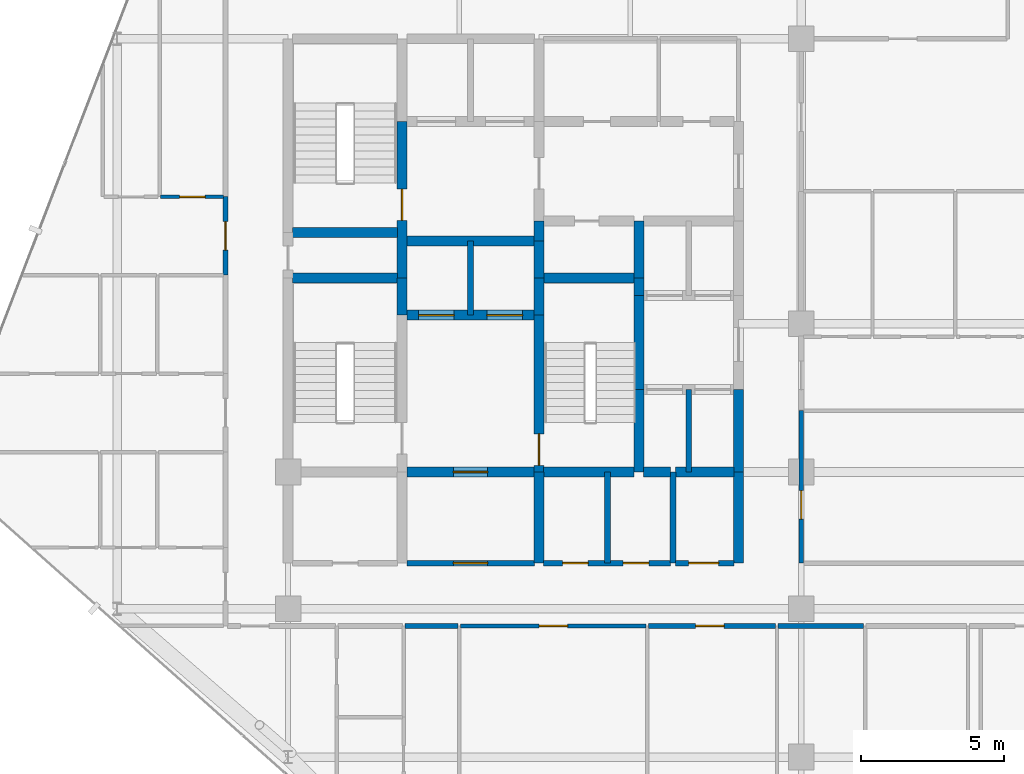
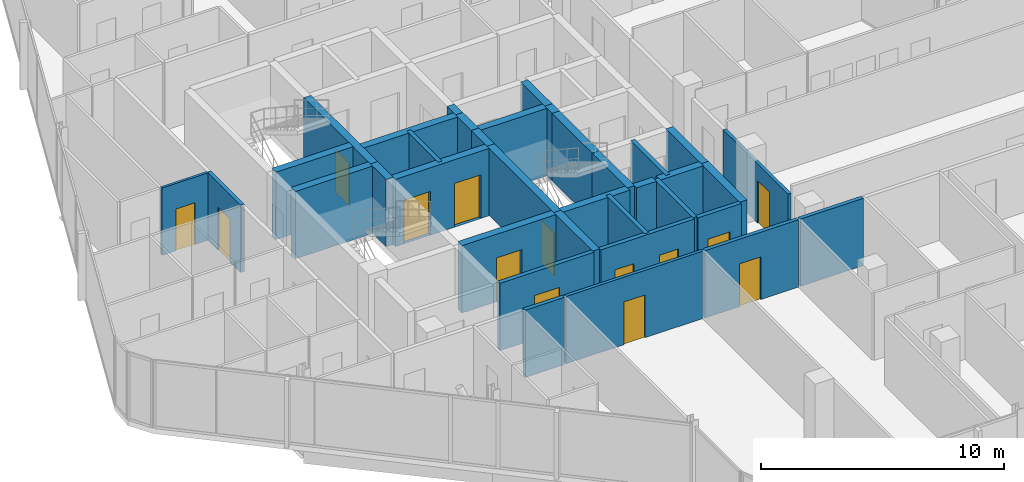
# One storey, part 24 of 29: 36 walls, 14 doors, 14 openings.
"""IFC4 building model written with IfcOpenShell, lengths in metres."""

import ifcopenshell
import ifcopenshell.guid

model = None  # the IFC model being written
_history = None  # IfcOwnerHistory: only IFC2X3 demands one
_inside = {}  # id of a spatial element -> (the spatial element, [elements in it])
_under = {}  # id of a project, library or spatial element -> (it, [spatial elements below it])
_declared = {}  # id of a project -> (the project, [libraries it declares])
_typed = {}  # id of a type object -> (the type object, [elements of that type])
_made_of = {}  # id of a material, layer set ... -> (it, [elements and type objects made of it])


def new_model(schema):
    """Start an empty IFC model of exactly this schema.

    Asked for "IFC4X3", IfcOpenShell would pick the latest addendum, in which some entities
    have other attributes; the version numbers below select the first issue.
    IFC2X3 requires an IfcOwnerHistory on every rooted entity: one is made here for all.
    """
    global model, _history
    if schema == "IFC4X3":
        model = ifcopenshell.file(schema_version=(4, 3, 0, 0))
    else:
        model = ifcopenshell.file(schema=schema)
    _inside.clear()
    _under.clear()
    _declared.clear()
    _typed.clear()
    _made_of.clear()
    _history = None
    if model.schema == "IFC2X3":
        org = make("IfcOrganization", Name="unknown")
        user = make(
            "IfcPersonAndOrganization",
            ThePerson=make("IfcPerson", FamilyName="unknown"),
            TheOrganization=org,
        )
        app = make(
            "IfcApplication",
            ApplicationDeveloper=org,
            Version="unknown",
            ApplicationFullName="unknown",
            ApplicationIdentifier="unknown",
        )
        _history = make(
            "IfcOwnerHistory",
            OwningUser=user,
            OwningApplication=app,
            ChangeAction="ADDED",
            CreationDate=0,
        )
    return model


def make(cls, **values):
    """One entity of the class cls with the attributes given. An attribute that is None is left unset."""
    return model.create_entity(
        cls, **{name: value for name, value in values.items() if value is not None}
    )


def rooted(cls, **values):
    """An entity with a GlobalId (a new one), such as an element, a storey or a relation."""
    return make(cls, GlobalId=ifcopenshell.guid.new(), OwnerHistory=_history, **values)


def si_unit(unit_type, name, prefix=None):
    """IfcSIUnit, for example si_unit("LENGTHUNIT", "METRE", prefix="MILLI")."""
    return make("IfcSIUnit", UnitType=unit_type, Prefix=prefix, Name=name)


def assignment(units):
    """IfcUnitAssignment: the units of a project."""
    return None if units is None else make("IfcUnitAssignment", Units=units)


def point(xyz):
    """IfcCartesianPoint."""
    return None if xyz is None else make("IfcCartesianPoint", Coordinates=xyz)


def direction(xyz):
    """IfcDirection."""
    return None if xyz is None else make("IfcDirection", DirectionRatios=xyz)


def frame(location, z_axis=None, x_axis=None):
    """IfcAxis2Placement3D, a coordinate frame: its origin and axes. An axis left out is left unset."""
    return make(
        "IfcAxis2Placement3D",
        Location=point(location),
        Axis=direction(z_axis),
        RefDirection=direction(x_axis),
    )


def frame_2d(location, x_axis=None):
    """IfcAxis2Placement2D, a coordinate frame in the plane: its origin and x axis."""
    return make(
        "IfcAxis2Placement2D", Location=point(location), RefDirection=direction(x_axis)
    )


def origin():
    """The frame at (0, 0, 0) with its axes left unset."""
    return frame((0.0, 0.0, 0.0))


def place(relative_to, where):
    """IfcLocalPlacement: puts the frame where relative to a parent placement (None: the world)."""
    return make(
        "IfcLocalPlacement", PlacementRelTo=relative_to, RelativePlacement=where
    )


def context(
    kind, dimensions, precision=None, world=None, true_north=None, identifier=None
):
    """IfcGeometricRepresentationContext, for example the 3D "Model" context."""
    return make(
        "IfcGeometricRepresentationContext",
        ContextIdentifier=identifier,
        ContextType=kind,
        CoordinateSpaceDimension=dimensions,
        Precision=precision,
        WorldCoordinateSystem=world,
        TrueNorth=true_north,
    )


def subcontext(parent, identifier, kind, view, scale=None):
    """IfcGeometricRepresentationSubContext, for example "Body" below "Model"."""
    return make(
        "IfcGeometricRepresentationSubContext",
        ContextIdentifier=identifier,
        ContextType=kind,
        ParentContext=parent,
        TargetScale=scale,
        TargetView=view,
    )


def project(units=None, contexts=None):
    """IfcProject with its units and contexts."""
    return rooted(
        "IfcProject",
        Name="project",
        RepresentationContexts=contexts,
        UnitsInContext=assignment(units),
    )


def spatial(cls, under=None, at=None, **own):
    """A site, building, storey or space (cls), placed at a placement, below another one or the project."""
    s = rooted(cls, ObjectPlacement=at, **own)
    if under is not None:
        _under.setdefault(under.id(), (under, []))[1].append(s)
    return s


def profile(cls, at=None, kind="AREA", **sizes):
    """A parametric profile (cls). Its sizes go by their IFC names, for example OverallWidth=200.0."""
    return make(cls, ProfileType=kind, Position=at, **sizes)


def rectangle(**sizes):
    """IfcRectangleProfileDef."""
    return profile("IfcRectangleProfileDef", **sizes)


def extrude(swept, where, along, depth):
    """IfcExtrudedAreaSolid: the profile swept, set in the frame where, extruded along a direction by depth."""
    return make(
        "IfcExtrudedAreaSolid",
        SweptArea=swept,
        Position=where,
        ExtrudedDirection=direction(along),
        Depth=depth,
    )


def shape(context_of_items, identifier, shape_type, items):
    """IfcShapeRepresentation: the items that make up one representation, for example the "Body"."""
    return make(
        "IfcShapeRepresentation",
        ContextOfItems=context_of_items,
        RepresentationIdentifier=identifier,
        RepresentationType=shape_type,
        Items=items,
    )


def material(Name=None, Category=None):
    """IfcMaterial."""
    return make("IfcMaterial", Name=Name, Category=Category)


def layer(
    of_material, thickness, ventilated=None, Name=None, Category=None, Priority=None
):
    """IfcMaterialLayer: one layer of a wall or slab, of a material (None: an air gap)."""
    return make(
        "IfcMaterialLayer",
        Material=of_material,
        LayerThickness=thickness,
        IsVentilated=ventilated,
        Name=Name,
        Category=Category,
        Priority=Priority,
    )


def layer_set(layers, Name=None):
    """IfcMaterialLayerSet."""
    return make("IfcMaterialLayerSet", MaterialLayers=layers, LayerSetName=Name)


def made_of(thing, what):
    """Note that an element or type object is made of a material, layer set ...; save() writes the relation."""
    if what is not None:
        _made_of.setdefault(what.id(), (what, []))[1].append(thing)
    return thing


def type_object(cls, material=None, **own):
    """A type object (cls), such as IfcWallType, which elements share."""
    return made_of(rooted(cls, **own), material)


def element(
    cls,
    number,
    at=None,
    inside=None,
    cuts=None,
    type_object=None,
    material=None,
    context=None,
    identifier="Body",
    shape_type=None,
    held_by="IfcProductDefinitionShape",
    body=None,
    shapes=None,
    **own,
):
    """One element of the class cls, such as IfcWall. Its Tag is "e" and its number.

    at: its placement. inside: the storey or other place that contains it. cuts: it is an
    opening in that element (IfcRelVoidsElement). A single representation is given by context,
    identifier, shape_type and body (its items); several are given by shapes. held_by: the class
    of the entity that holds the representations. save() writes the other relations.
    """
    e = rooted(cls, Tag="e%d" % number, ObjectPlacement=at, **own)
    if body is not None:
        shapes = [shape(context, identifier, shape_type, body)]
    if shapes is not None:
        e.Representation = make(held_by, Representations=shapes)
    if inside is not None:
        _inside.setdefault(inside.id(), (inside, []))[1].append(e)
    if cuts is not None:
        rooted(
            "IfcRelVoidsElement", RelatingBuildingElement=cuts, RelatedOpeningElement=e
        )
    if type_object is not None:
        _typed.setdefault(type_object.id(), (type_object, []))[1].append(e)
    return made_of(e, material)


def fill(opening, filler):
    """IfcRelFillsElement: the door or window that sits in an opening."""
    return rooted(
        "IfcRelFillsElement",
        RelatingOpeningElement=opening,
        RelatedBuildingElement=filler,
    )


def aggregate(whole, parts):
    """IfcRelAggregates: a whole, such as a stair, and the parts it consists of."""
    return rooted("IfcRelAggregates", RelatingObject=whole, RelatedObjects=parts)


def save(model, path):
    """Write the relations noted so far, then the file.

    IfcRelAggregates (storeys below a building ...), IfcRelContainedInSpatialStructure (elements
    in a storey), IfcRelDefinesByType, IfcRelAssociatesMaterial and IfcRelDeclares: one each for
    every whole, place, type object, material and project.
    """
    for whole, parts in _under.values():
        aggregate(whole, parts)
    for where, things in _inside.values():
        rooted(
            "IfcRelContainedInSpatialStructure",
            RelatedElements=things,
            RelatingStructure=where,
        )
    for kind, things in _typed.values():
        rooted("IfcRelDefinesByType", RelatedObjects=things, RelatingType=kind)
    for what, things in _made_of.values():
        rooted("IfcRelAssociatesMaterial", RelatedObjects=things, RelatingMaterial=what)
    for by, libraries in _declared.values():
        rooted("IfcRelDeclares", RelatingContext=by, RelatedDefinitions=libraries)
    model.write(path)


model = new_model("IFC4")

# Units and contexts
model_context = context("Model", 3, precision=1e-05, world=origin(), true_north=direction((0.0, 1.0)))
body_context = subcontext(model_context, "Body", "Model", "MODEL_VIEW")
ifc_project = project(units=[si_unit("LENGTHUNIT", "METRE"), si_unit("AREAUNIT", "SQUARE_METRE"), si_unit("VOLUMEUNIT", "CUBIC_METRE"), si_unit("PLANEANGLEUNIT", "RADIAN"), si_unit("MASSUNIT", "GRAM", prefix="KILO")], contexts=[model_context])

# Site, building, storey
site_placement = place(None, origin())
site = spatial("IfcSite", under=ifc_project, at=site_placement, CompositionType="ELEMENT")
building_placement = place(site_placement, origin())
building = spatial("IfcBuilding", under=site, at=building_placement, Name="Keshet Zoharim Tower", CompositionType="ELEMENT")
storey_placement = place(building_placement, frame((0.0, 0.0, 203.199951171875)))
storey = spatial("IfcBuildingStorey", under=building, at=storey_placement, Name="L50", CompositionType="ELEMENT", Elevation=203.199951171875)

# Wall, opening, door
ifc_material_1 = material(Name="Gypsum Plasterboard", Category="gypsum")
ifc_layer_1 = layer(ifc_material_1, 0.14990234375)
ifc_layer_set_1 = layer_set([ifc_layer_1], Name="Gypsum Plasterboard")
wall_type_1 = type_object("IfcWallType", Name="WL-CLIN-150", PredefinedType="STANDARD", material=ifc_layer_set_1)
wall_1_placement = place(storey_placement, frame((33.0, 19.510009765625, 0.0), z_axis=(0.0, 0.0, 1.0), x_axis=(0.0, 1.0, 0.0)))
wall_1 = element("IfcWall", 1, at=wall_1_placement, inside=storey, type_object=wall_type_1, Name="L50 Interior Wall 070", PredefinedType="STANDARD", context=body_context, shape_type="SweptSolid", body=[
    extrude(rectangle(XDim=5.35009765625, YDim=0.14990234375, at=frame_2d((2.675048828125, 0.0))), origin(), (0.0, 0.0, 1.0), 2.989990234375),
])
opening_1_placement = place(wall_1_placement, frame((1.533935546875, 0.0, 0.0)))
opening_1 = element("IfcOpeningElement", 2, at=opening_1_placement, cuts=wall_1, Name="Opening D-F310", PredefinedType="OPENING", context=body_context, shape_type="SweptSolid", body=[
    extrude(rectangle(XDim=1.0, YDim=2.14990234375, at=frame_2d((0.5, 1.074951171875))), frame((0.0, 0.0849609375, 0.0), z_axis=(0.0, -1.0, 0.0), x_axis=(1.0, 0.0, 0.0)), (0.0, 0.0, 1.0), 0.169921875),
])
ifc_material_2 = material(Name="Hardwood Timber", Category="wood")
door_type_1 = type_object("IfcDoorType", Name="DR-FD30-100", OperationType="NOTDEFINED", PredefinedType="DOOR", material=ifc_material_2)
door_1_placement = place(opening_1_placement, origin())
door_1 = element("IfcDoor", 3, at=door_1_placement, inside=storey, type_object=door_type_1, Name="L50 South East Residents Services Suite Door 2", OperationType="SINGLE_SWING_LEFT", OverallHeight=2.14990234375, OverallWidth=1.0, PredefinedType="DOOR", context=body_context, shape_type="SweptSolid", body=[
    extrude(rectangle(XDim=1.0, YDim=2.14990234375, at=frame_2d((0.5, 1.074951171875))), frame((0.0, 0.02490234375, 0.0), z_axis=(0.0, -1.0, 0.0), x_axis=(1.0, 0.0, 0.0)), (0.0, 0.0, 1.0), 0.050048828125),
])
fill(opening_1, door_1)

wall_2_placement = place(storey_placement, frame((21.044921875, 17.300048828125, 0.0), z_axis=(0.0, 0.0, 1.0), x_axis=(1.0, 0.0, 0.0)))
wall_2 = element("IfcWall", 4, at=wall_2_placement, inside=storey, type_object=wall_type_1, Name="L50 Interior Wall 115", PredefinedType="STANDARD", context=body_context, shape_type="SweptSolid", body=[
    extrude(rectangle(XDim=6.510009765625, YDim=0.14990234375, at=frame_2d((3.2548828125, 0.0))), origin(), (0.0, 0.0, 1.0), 3.39013671875),
])
opening_2_placement = place(wall_2_placement, frame((2.7548828125, 0.0, 0.0)))
opening_2 = element("IfcOpeningElement", 5, at=opening_2_placement, cuts=wall_2, Name="Opening D-F310", PredefinedType="OPENING", context=body_context, shape_type="SweptSolid", body=[
    extrude(rectangle(XDim=1.0, YDim=2.14990234375, at=frame_2d((0.5, 1.074951171875))), frame((0.0, 0.0849609375, 0.0), z_axis=(0.0, -1.0, 0.0), x_axis=(1.0, 0.0, 0.0)), (0.0, 0.0, 1.0), 0.169921875),
])
door_2_placement = place(opening_2_placement, origin())
door_2 = element("IfcDoor", 6, at=door_2_placement, inside=storey, type_object=door_type_1, Name="L50 Floor Children Playroom Door", OperationType="SINGLE_SWING_RIGHT", OverallHeight=2.14990234375, OverallWidth=1.0, PredefinedType="DOOR", context=body_context, shape_type="SweptSolid", body=[
    extrude(rectangle(XDim=1.0, YDim=2.14990234375, at=frame_2d((0.5, 1.074951171875))), frame((0.0, 0.02490234375, 0.0), z_axis=(0.0, -1.0, 0.0), x_axis=(1.0, 0.0, 0.0)), (0.0, 0.0, 1.0), 0.050048828125),
])
fill(opening_2, door_2)

# Wall
ifc_material_3 = material(Name="Concrete C60/75", Category="concrete")
ifc_layer_2 = layer(ifc_material_3, 0.35009765625)
ifc_layer_set_2 = layer_set([ifc_layer_2], Name="Concrete C60/75")
wall_type_2 = type_object("IfcWallType", Name="WL-CORE-350", PredefinedType="SHEAR", material=ifc_layer_set_2)
wall_3_placement = place(storey_placement, frame((19.0, 28.199951171875, 0.0), z_axis=(0.0, 0.0, 1.0), x_axis=(0.0, 1.0, 0.0)))
element("IfcWall", 7, at=wall_3_placement, inside=storey, type_object=wall_type_2, Name="L50 Core Shear Wall 025", PredefinedType="SHEAR", context=body_context, shape_type="SweptSolid", body=[
    extrude(rectangle(XDim=1.300048828125, YDim=0.35009765625, at=frame_2d((0.64990234375, 0.0))), origin(), (0.0, 0.0, 1.0), 3.39013671875),
])

# Wall, opening, door
wall_4_placement = place(storey_placement, frame((19.0, 29.5, 0.0), z_axis=(0.0, 0.0, 1.0), x_axis=(0.0, 1.0, 0.0)))
wall_4 = element("IfcWall", 8, at=wall_4_placement, inside=storey, type_object=wall_type_2, Name="L50 Core Shear Wall 026", PredefinedType="SHEAR", context=body_context, shape_type="SweptSolid", body=[
    extrude(rectangle(XDim=5.5, YDim=0.35009765625, at=frame_2d((2.75, 0.0))), origin(), (0.0, 0.0, 1.0), 3.39013671875),
])
opening_3_placement = place(wall_4_placement, frame((2.02490234375, 0.0, 0.0)))
opening_3 = element("IfcOpeningElement", 9, at=opening_3_placement, cuts=wall_4, Name="Opening D-F611", PredefinedType="OPENING", context=body_context, shape_type="SweptSolid", body=[
    extrude(rectangle(XDim=1.10009765625, YDim=2.14990234375, at=frame_2d((0.550048828125, 1.074951171875))), frame((0.0, 0.18505859375, 0.0), z_axis=(0.0, -1.0, 0.0), x_axis=(1.0, 0.0, 0.0)), (0.0, 0.0, 1.0), 0.3701171875),
])
door_type_2 = type_object("IfcDoorType", Name="DR-FD60-110", OperationType="NOTDEFINED", PredefinedType="DOOR", material=ifc_material_2)
door_3_placement = place(opening_3_placement, origin())
door_3 = element("IfcDoor", 10, at=door_3_placement, inside=storey, type_object=door_type_2, Name="L50 Exit Stair ST-02 Fire Door", OperationType="SINGLE_SWING_LEFT", OverallHeight=2.14990234375, OverallWidth=1.10009765625, PredefinedType="DOOR", context=body_context, shape_type="SweptSolid", body=[
    extrude(rectangle(XDim=1.10009765625, YDim=2.14990234375, at=frame_2d((0.550048828125, 1.074951171875))), frame((0.0, 0.02490234375, 0.0), z_axis=(0.0, -1.0, 0.0), x_axis=(1.0, 0.0, 0.0)), (0.0, 0.0, 1.0), 0.050048828125),
])
fill(opening_3, door_3)

# Wall
wall_5_placement = place(storey_placement, frame((23.800048828125, 19.5, 0.0), z_axis=(0.0, 0.0, 1.0), x_axis=(0.0, 1.0, 0.0)))
element("IfcWall", 11, at=wall_5_placement, inside=storey, type_object=wall_type_2, Name="L50 Core Shear Wall 037", PredefinedType="SHEAR", context=body_context, shape_type="SweptSolid", body=[
    extrude(rectangle(XDim=3.199951171875, YDim=0.35009765625, at=frame_2d((1.60009765625, 0.0))), origin(), (0.0, 0.0, 1.0), 3.39013671875),
])

# Wall, opening, door
wall_6_placement = place(storey_placement, frame((23.800048828125, 22.699951171875, 0.0), z_axis=(0.0, 0.0, 1.0), x_axis=(0.0, 1.0, 0.0)))
wall_6 = element("IfcWall", 12, at=wall_6_placement, inside=storey, type_object=wall_type_2, Name="L50 Core Shear Wall 038", PredefinedType="SHEAR", context=body_context, shape_type="SweptSolid", body=[
    extrude(rectangle(XDim=5.5, YDim=0.35009765625, at=frame_2d((2.75, 0.0))), origin(), (0.0, 0.0, 1.0), 3.39013671875),
])
opening_4_placement = place(wall_6_placement, frame((0.235107421875, 0.0, 0.0)))
opening_4 = element("IfcOpeningElement", 13, at=opening_4_placement, cuts=wall_6, Name="Opening D-F611", PredefinedType="OPENING", context=body_context, shape_type="SweptSolid", body=[
    extrude(rectangle(XDim=1.10009765625, YDim=2.14990234375, at=frame_2d((0.550048828125, 1.074951171875))), frame((0.0, 0.18505859375, 0.0), z_axis=(0.0, -1.0, 0.0), x_axis=(1.0, 0.0, 0.0)), (0.0, 0.0, 1.0), 0.3701171875),
])
door_4_placement = place(opening_4_placement, frame((1.10009765625, 0.0, 0.0), z_axis=(0.0, 0.0, 1.0), x_axis=(-1.0, 0.0, 0.0)))
door_4 = element("IfcDoor", 14, at=door_4_placement, inside=storey, type_object=door_type_2, Name="L50 Exit Stair ST-03 Fire Door", OperationType="SINGLE_SWING_LEFT", OverallHeight=2.14990234375, OverallWidth=1.10009765625, PredefinedType="DOOR", context=body_context, shape_type="SweptSolid", body=[
    extrude(rectangle(XDim=1.10009765625, YDim=2.14990234375, at=frame_2d((0.550048828125, 1.074951171875))), frame((0.0, 0.02490234375, 0.0), z_axis=(0.0, -1.0, 0.0), x_axis=(1.0, 0.0, 0.0)), (0.0, 0.0, 1.0), 0.050048828125),
])
fill(opening_4, door_4)

# Walls
for number, where, z_axis, x_axis, name in (
    (15, (23.800048828125, 28.199951171875, 0.0), (0.0, 0.0, 1.0), (0.0, 1.0, 0.0), "L50 Core Shear Wall 039"),
    (16, (23.800048828125, 29.5, 0.0), (0.0, 0.0, 1.0), (0.0, 1.0, 0.0), "L50 Core Shear Wall 040"),
):
    element("IfcWall", number, at=place(storey_placement, frame(where, z_axis=z_axis, x_axis=x_axis)), inside=storey, type_object=wall_type_2, Name=name, PredefinedType="SHEAR", context=body_context, shape_type="SweptSolid", body=[
        extrude(rectangle(XDim=1.300048828125, YDim=0.35009765625, at=frame_2d((0.64990234375, 0.0))), origin(), (0.0, 0.0, 1.0), 3.39013671875),
    ])
wall_7_placement = place(storey_placement, frame((23.800048828125, 30.800048828125, 0.0), z_axis=(0.0, 0.0, 1.0), x_axis=(0.0, 1.0, 0.0)))
element("IfcWall", 17, at=wall_7_placement, inside=storey, type_object=wall_type_2, Name="L50 Core Shear Wall 041", PredefinedType="SHEAR", context=body_context, shape_type="SweptSolid", body=[
    extrude(rectangle(XDim=0.699951171875, YDim=0.35009765625, at=frame_2d((0.35009765625, 0.0))), origin(), (0.0, 0.0, 1.0), 3.39013671875),
])
wall_8_placement = place(storey_placement, frame((27.300048828125, 22.699951171875, 0.0), z_axis=(0.0, 0.0, 1.0), x_axis=(0.0, 1.0, 0.0)))
element("IfcWall", 18, at=wall_8_placement, inside=storey, type_object=wall_type_2, Name="L50 Core Shear Wall 048", PredefinedType="SHEAR", context=body_context, shape_type="SweptSolid", body=[
    extrude(rectangle(XDim=2.900146484375, YDim=0.35009765625, at=frame_2d((1.4501953125, 0.0))), origin(), (0.0, 0.0, 1.0), 3.39013671875),
])
wall_9_placement = place(storey_placement, frame((27.300048828125, 25.60009765625, 0.0), z_axis=(0.0, 0.0, 1.0), x_axis=(0.0, 1.0, 0.0)))
element("IfcWall", 19, at=wall_9_placement, inside=storey, type_object=wall_type_2, Name="L50 Core Shear Wall 049", PredefinedType="SHEAR", context=body_context, shape_type="SweptSolid", body=[
    extrude(rectangle(XDim=3.2998046875, YDim=0.35009765625, at=frame_2d((1.64990234375, 0.0))), origin(), (0.0, 0.0, 1.0), 3.39013671875),
])
wall_10_placement = place(storey_placement, frame((27.300048828125, 28.89990234375, 0.0), z_axis=(0.0, 0.0, 1.0), x_axis=(0.0, 1.0, 0.0)))
element("IfcWall", 20, at=wall_10_placement, inside=storey, type_object=wall_type_2, Name="L50 Core Shear Wall 050", PredefinedType="SHEAR", context=body_context, shape_type="SweptSolid", body=[
    extrude(rectangle(XDim=0.60009765625, YDim=0.35009765625, at=frame_2d((0.300048828125, 0.0))), origin(), (0.0, 0.0, 1.0), 3.39013671875),
])
wall_11_placement = place(storey_placement, frame((27.300048828125, 29.5, 0.0), z_axis=(0.0, 0.0, 1.0), x_axis=(0.0, 1.0, 0.0)))
element("IfcWall", 21, at=wall_11_placement, inside=storey, type_object=wall_type_2, Name="L50 Core Shear Wall 051", PredefinedType="SHEAR", context=body_context, shape_type="SweptSolid", body=[
    extrude(rectangle(XDim=2.0, YDim=0.35009765625, at=frame_2d((1.0, 0.0))), origin(), (0.0, 0.0, 1.0), 3.39013671875),
])
wall_12_placement = place(storey_placement, frame((30.800048828125, 19.5, 0.0), z_axis=(0.0, 0.0, 1.0), x_axis=(0.0, 1.0, 0.0)))
element("IfcWall", 22, at=wall_12_placement, inside=storey, type_object=wall_type_2, Name="L50 Core Shear Wall 060", PredefinedType="SHEAR", context=body_context, shape_type="SweptSolid", body=[
    extrude(rectangle(XDim=3.199951171875, YDim=0.35009765625, at=frame_2d((1.60009765625, 0.0))), origin(), (0.0, 0.0, 1.0), 3.39013671875),
])
wall_13_placement = place(storey_placement, frame((30.800048828125, 22.699951171875, 0.0), z_axis=(0.0, 0.0, 1.0), x_axis=(0.0, 1.0, 0.0)))
element("IfcWall", 23, at=wall_13_placement, inside=storey, type_object=wall_type_2, Name="L50 Core Shear Wall 061", PredefinedType="SHEAR", context=body_context, shape_type="SweptSolid", body=[
    extrude(rectangle(XDim=2.900146484375, YDim=0.35009765625, at=frame_2d((1.4501953125, 0.0))), origin(), (0.0, 0.0, 1.0), 3.39013671875),
])

# Wall, opening, door
wall_14_placement = place(storey_placement, frame((19.159912109375, 22.699951171875, 0.0), z_axis=(0.0, 0.0, 1.0), x_axis=(1.0, 0.0, 0.0)))
wall_14 = element("IfcWall", 24, at=wall_14_placement, inside=storey, type_object=wall_type_2, Name="L50 Core Shear Wall 133", PredefinedType="SHEAR", context=body_context, shape_type="SweptSolid", body=[
    extrude(rectangle(XDim=4.47998046875, YDim=0.35009765625, at=frame_2d((2.239990234375, 0.0))), origin(), (0.0, 0.0, 1.0), 3.39013671875),
])
opening_5_placement = place(wall_14_placement, frame((1.639892578125, 0.0, 0.0)))
opening_5 = element("IfcOpeningElement", 25, at=opening_5_placement, cuts=wall_14, Name="Opening D-F612", PredefinedType="OPENING", context=body_context, shape_type="SweptSolid", body=[
    extrude(rectangle(XDim=1.199951171875, YDim=2.199951171875, at=frame_2d((0.60009765625, 1.10009765625))), frame((0.0, 0.18505859375, 0.0), z_axis=(0.0, -1.0, 0.0), x_axis=(1.0, 0.0, 0.0)), (0.0, 0.0, 1.0), 0.3701171875),
])
door_type_3 = type_object("IfcDoorType", Name="DR-FD60-120", OperationType="NOTDEFINED", PredefinedType="DOOR", material=ifc_material_2)
door_5_placement = place(opening_5_placement, origin())
door_5 = element("IfcDoor", 26, at=door_5_placement, inside=storey, type_object=door_type_3, Name="L50 South Core Lobby Fire Door", OperationType="SINGLE_SWING_LEFT", OverallHeight=2.199951171875, OverallWidth=1.199951171875, PredefinedType="DOOR", context=body_context, shape_type="SweptSolid", body=[
    extrude(rectangle(XDim=1.199951171875, YDim=2.199951171875, at=frame_2d((0.60009765625, 1.10009765625))), frame((0.0, 0.02490234375, 0.0), z_axis=(0.0, -1.0, 0.0), x_axis=(1.0, 0.0, 0.0)), (0.0, 0.0, 1.0), 0.050048828125),
])
fill(opening_5, door_5)

# Walls
wall_15_placement = place(storey_placement, frame((23.9599609375, 22.699951171875, 0.0), z_axis=(0.0, 0.0, 1.0), x_axis=(1.0, 0.0, 0.0)))
element("IfcWall", 27, at=wall_15_placement, inside=storey, type_object=wall_type_2, Name="L50 Core Shear Wall 134", PredefinedType="SHEAR", context=body_context, shape_type="SweptSolid", body=[
    extrude(rectangle(XDim=3.179931640625, YDim=0.35009765625, at=frame_2d((1.58984375, 0.0))), origin(), (0.0, 0.0, 1.0), 3.39013671875),
])
wall_16_placement = place(storey_placement, frame((27.4599609375, 22.699951171875, 0.0), z_axis=(0.0, 0.0, 1.0), x_axis=(1.0, 0.0, 0.0)))
element("IfcWall", 28, at=wall_16_placement, inside=storey, type_object=wall_type_2, Name="L50 Core Shear Wall 135", PredefinedType="SHEAR", context=body_context, shape_type="SweptSolid", body=[
    extrude(rectangle(XDim=0.955078125, YDim=0.35009765625, at=frame_2d((0.4775390625, 0.0))), origin(), (0.0, 0.0, 1.0), 3.39013671875),
])
wall_17_placement = place(storey_placement, frame((28.5849609375, 22.699951171875, 0.0), z_axis=(0.0, 0.0, 1.0), x_axis=(1.0, 0.0, 0.0)))
element("IfcWall", 29, at=wall_17_placement, inside=storey, type_object=wall_type_2, Name="L50 Core Shear Wall 136", PredefinedType="SHEAR", context=body_context, shape_type="SweptSolid", body=[
    extrude(rectangle(XDim=2.054931640625, YDim=0.35009765625, at=frame_2d((1.02734375, 0.0))), origin(), (0.0, 0.0, 1.0), 3.39013671875),
])

# Wall, openings, doors
wall_18_placement = place(storey_placement, frame((19.159912109375, 28.199951171875, 0.0), z_axis=(0.0, 0.0, 1.0), x_axis=(1.0, 0.0, 0.0)))
wall_18 = element("IfcWall", 30, at=wall_18_placement, inside=storey, type_object=wall_type_2, Name="L50 Core Shear Wall 148", PredefinedType="SHEAR", context=body_context, shape_type="SweptSolid", body=[
    extrude(rectangle(XDim=4.47998046875, YDim=0.35009765625, at=frame_2d((2.239990234375, 0.0))), origin(), (0.0, 0.0, 1.0), 3.39013671875),
])
opening_6_placement = place(wall_18_placement, frame((0.4150390625, 0.0, 0.0)))
opening_6 = element("IfcOpeningElement", 31, at=opening_6_placement, cuts=wall_18, Name="Opening LD-01", PredefinedType="OPENING", context=body_context, shape_type="SweptSolid", body=[
    extrude(rectangle(XDim=1.25, YDim=2.199951171875, at=frame_2d((0.625, 1.10009765625))), frame((0.0, 0.18505859375, 0.0), z_axis=(0.0, -1.0, 0.0), x_axis=(1.0, 0.0, 0.0)), (0.0, 0.0, 1.0), 0.3701171875),
])
opening_7_placement = place(wall_18_placement, frame((2.81494140625, 0.0, 0.0)))
opening_7 = element("IfcOpeningElement", 32, at=opening_7_placement, cuts=wall_18, Name="Opening LD-01", PredefinedType="OPENING", context=body_context, shape_type="SweptSolid", body=[
    extrude(rectangle(XDim=1.25, YDim=2.199951171875, at=frame_2d((0.625, 1.10009765625))), frame((0.0, 0.18505859375, 0.0), z_axis=(0.0, -1.0, 0.0), x_axis=(1.0, 0.0, 0.0)), (0.0, 0.0, 1.0), 0.3701171875),
])
ifc_material_4 = material(Name="Steel S355", Category="steel")
door_type_4 = type_object("IfcDoorType", Name="DR-LD01-125", OperationType="DOUBLE_DOOR_SLIDING", PredefinedType="DOOR", material=ifc_material_4)
door_6_placement = place(opening_6_placement, origin())
door_6 = element("IfcDoor", 33, at=door_6_placement, inside=storey, type_object=door_type_4, Name="L50 Passenger Lift Landing Door LF-09", OperationType="DOUBLE_DOOR_SLIDING", OverallHeight=2.199951171875, OverallWidth=1.25, PredefinedType="DOOR", context=body_context, shape_type="SweptSolid", body=[
    extrude(rectangle(XDim=1.25, YDim=2.199951171875, at=frame_2d((0.625, 1.10009765625))), frame((0.0, 0.02490234375, 0.0), z_axis=(0.0, -1.0, 0.0), x_axis=(1.0, 0.0, 0.0)), (0.0, 0.0, 1.0), 0.050048828125),
])
fill(opening_6, door_6)
door_7_placement = place(opening_7_placement, origin())
door_7 = element("IfcDoor", 34, at=door_7_placement, inside=storey, type_object=door_type_4, Name="L50 Passenger Lift Landing Door LF-10", OperationType="DOUBLE_DOOR_SLIDING", OverallHeight=2.199951171875, OverallWidth=1.25, PredefinedType="DOOR", context=body_context, shape_type="SweptSolid", body=[
    extrude(rectangle(XDim=1.25, YDim=2.199951171875, at=frame_2d((0.625, 1.10009765625))), frame((0.0, 0.02490234375, 0.0), z_axis=(0.0, -1.0, 0.0), x_axis=(1.0, 0.0, 0.0)), (0.0, 0.0, 1.0), 0.050048828125),
])
fill(opening_7, door_7)

# Walls
wall_19_placement = place(storey_placement, frame((15.159912109375, 29.5, 0.0), z_axis=(0.0, 0.0, 1.0), x_axis=(1.0, 0.0, 0.0)))
element("IfcWall", 35, at=wall_19_placement, inside=storey, type_object=wall_type_2, Name="L50 Core Shear Wall 150", PredefinedType="SHEAR", context=body_context, shape_type="SweptSolid", body=[
    extrude(rectangle(XDim=3.68017578125, YDim=0.35009765625, at=frame_2d((1.840087890625, 0.0))), origin(), (0.0, 0.0, 1.0), 3.39013671875),
])
wall_20_placement = place(storey_placement, frame((23.9599609375, 29.5, 0.0), z_axis=(0.0, 0.0, 1.0), x_axis=(1.0, 0.0, 0.0)))
element("IfcWall", 36, at=wall_20_placement, inside=storey, type_object=wall_type_2, Name="L50 Core Shear Wall 151", PredefinedType="SHEAR", context=body_context, shape_type="SweptSolid", body=[
    extrude(rectangle(XDim=3.179931640625, YDim=0.35009765625, at=frame_2d((1.58984375, 0.0))), origin(), (0.0, 0.0, 1.0), 3.39013671875),
])
wall_21_placement = place(storey_placement, frame((19.159912109375, 30.800048828125, 0.0), z_axis=(0.0, 0.0, 1.0), x_axis=(1.0, 0.0, 0.0)))
element("IfcWall", 37, at=wall_21_placement, inside=storey, type_object=wall_type_2, Name="L50 Core Shear Wall 155", PredefinedType="SHEAR", context=body_context, shape_type="SweptSolid", body=[
    extrude(rectangle(XDim=4.47998046875, YDim=0.35009765625, at=frame_2d((2.239990234375, 0.0))), origin(), (0.0, 0.0, 1.0), 3.39013671875),
])
wall_22_placement = place(storey_placement, frame((15.159912109375, 31.10009765625, 0.0), z_axis=(0.0, 0.0, 1.0), x_axis=(1.0, 0.0, 0.0)))
element("IfcWall", 38, at=wall_22_placement, inside=storey, type_object=wall_type_2, Name="L50 Core Shear Wall 156", PredefinedType="SHEAR", context=body_context, shape_type="SweptSolid", body=[
    extrude(rectangle(XDim=3.68017578125, YDim=0.35009765625, at=frame_2d((1.840087890625, 0.0))), origin(), (0.0, 0.0, 1.0), 3.39013671875),
])

# Wall, opening, door
ifc_layer_3 = layer(ifc_material_1, 0.179931640625)
ifc_layer_set_3 = layer_set([ifc_layer_3], Name="Gypsum Plasterboard")
wall_type_3 = type_object("IfcWallType", Name="WL-CORR-180", PredefinedType="STANDARD", material=ifc_layer_set_3)
wall_23_placement = place(storey_placement, frame((12.800048828125, 29.610107421875, 0.0), z_axis=(0.0, 0.0, 1.0), x_axis=(0.0, 1.0, 0.0)))
wall_23 = element("IfcWall", 39, at=wall_23_placement, inside=storey, type_object=wall_type_3, Name="L50 Interior Wall 012", PredefinedType="STANDARD", context=body_context, shape_type="SweptSolid", body=[
    extrude(rectangle(XDim=2.75, YDim=0.179931640625, at=frame_2d((1.375, 0.0))), origin(), (0.0, 0.0, 1.0), 3.39013671875),
])
opening_8_placement = place(wall_23_placement, frame((0.875, 0.0, 0.0)))
opening_8 = element("IfcOpeningElement", 40, at=opening_8_placement, cuts=wall_23, Name="Opening D-F310", PredefinedType="OPENING", context=body_context, shape_type="SweptSolid", body=[
    extrude(rectangle(XDim=1.0, YDim=2.14990234375, at=frame_2d((0.5, 1.074951171875))), frame((0.0, 0.10009765625, 0.0), z_axis=(0.0, -1.0, 0.0), x_axis=(1.0, 0.0, 0.0)), (0.0, 0.0, 1.0), 0.199951171875),
])
door_8_placement = place(opening_8_placement, origin())
door_8 = element("IfcDoor", 41, at=door_8_placement, inside=storey, type_object=door_type_1, Name="Apartment 5009 Entrance Door", OperationType="SINGLE_SWING_LEFT", OverallHeight=2.14990234375, OverallWidth=1.0, PredefinedType="DOOR", context=body_context, shape_type="SweptSolid", body=[
    extrude(rectangle(XDim=1.0, YDim=2.14990234375, at=frame_2d((0.5, 1.074951171875))), frame((0.0, 0.02490234375, 0.0), z_axis=(0.0, -1.0, 0.0), x_axis=(1.0, 0.0, 0.0)), (0.0, 0.0, 1.0), 0.050048828125),
])
fill(opening_8, door_8)

# Wall
wall_24_placement = place(storey_placement, frame((19.094970703125, 17.300048828125, 0.0), z_axis=(0.0, 0.0, 1.0), x_axis=(1.0, 0.0, 0.0)))
element("IfcWall", 42, at=wall_24_placement, inside=storey, type_object=wall_type_3, Name="L50 Interior Wall 114", PredefinedType="STANDARD", context=body_context, shape_type="SweptSolid", body=[
    extrude(rectangle(XDim=1.860107421875, YDim=0.179931640625, at=frame_2d((0.93017578125, 0.0))), origin(), (0.0, 0.0, 1.0), 3.39013671875),
])

# Wall, opening, door
wall_25_placement = place(storey_placement, frame((27.64501953125, 17.300048828125, 0.0), z_axis=(0.0, 0.0, 1.0), x_axis=(1.0, 0.0, 0.0)))
wall_25 = element("IfcWall", 43, at=wall_25_placement, inside=storey, type_object=wall_type_3, Name="L50 Interior Wall 116", PredefinedType="STANDARD", context=body_context, shape_type="SweptSolid", body=[
    extrude(rectangle(XDim=4.449951171875, YDim=0.179931640625, at=frame_2d((2.22509765625, 0.0))), origin(), (0.0, 0.0, 1.0), 3.39013671875),
])
opening_9_placement = place(wall_25_placement, frame((1.653076171875, 0.0, 0.0)))
opening_9 = element("IfcOpeningElement", 44, at=opening_9_placement, cuts=wall_25, Name="Opening D-F310", PredefinedType="OPENING", context=body_context, shape_type="SweptSolid", body=[
    extrude(rectangle(XDim=1.0, YDim=2.14990234375, at=frame_2d((0.5, 1.074951171875))), frame((0.0, 0.10009765625, 0.0), z_axis=(0.0, -1.0, 0.0), x_axis=(1.0, 0.0, 0.0)), (0.0, 0.0, 1.0), 0.199951171875),
])
door_9_placement = place(opening_9_placement, origin())
door_9 = element("IfcDoor", 45, at=door_9_placement, inside=storey, type_object=door_type_1, Name="Apartment 5002 Entrance Door", OperationType="SINGLE_SWING_LEFT", OverallHeight=2.14990234375, OverallWidth=1.0, PredefinedType="DOOR", context=body_context, shape_type="SweptSolid", body=[
    extrude(rectangle(XDim=1.0, YDim=2.14990234375, at=frame_2d((0.5, 1.074951171875))), frame((0.0, 0.02490234375, 0.0), z_axis=(0.0, -1.0, 0.0), x_axis=(1.0, 0.0, 0.0)), (0.0, 0.0, 1.0), 0.050048828125),
])
fill(opening_9, door_9)

# Walls
wall_26_placement = place(storey_placement, frame((32.18505859375, 17.300048828125, 0.0), z_axis=(0.0, 0.0, 1.0), x_axis=(1.0, 0.0, 0.0)))
element("IfcWall", 46, at=wall_26_placement, inside=storey, type_object=wall_type_3, Name="L50 Interior Wall 117", PredefinedType="STANDARD", context=body_context, shape_type="SweptSolid", body=[
    extrude(rectangle(XDim=2.996826171875, YDim=0.179931640625, at=frame_2d((1.49853515625, 0.0))), origin(), (0.0, 0.0, 1.0), 3.39013671875),
])
ifc_material_5 = material(Name="Concrete C50/60", Category="concrete")
ifc_layer_4 = layer(ifc_material_5, 0.199951171875)
ifc_layer_set_4 = layer_set([ifc_layer_4], Name="Concrete C50/60")
wall_type_4 = type_object("IfcWallType", Name="WL-FIRE-200", PredefinedType="STANDARD", material=ifc_layer_set_4)
wall_27_placement = place(storey_placement, frame((21.39990234375, 28.199951171875, 0.0), z_axis=(0.0, 0.0, 1.0), x_axis=(0.0, 1.0, 0.0)))
element("IfcWall", 47, at=wall_27_placement, inside=storey, type_object=wall_type_4, Name="L50 Interior Wall 034", PredefinedType="STANDARD", context=body_context, shape_type="SweptSolid", body=[
    extrude(rectangle(XDim=2.60009765625, YDim=0.199951171875, at=frame_2d((1.300048828125, 0.0))), origin(), (0.0, 0.0, 1.0), 3.39013671875),
])
for number, where, z_axis, x_axis, name in (
    (48, (26.199951171875, 19.5, 0.0), (0.0, 0.0, 1.0), (0.0, 1.0, 0.0), "L50 Interior Wall 046"),
    (49, (28.5, 19.5, 0.0), (0.0, 0.0, 1.0), (0.0, 1.0, 0.0), "L50 Interior Wall 054"),
):
    element("IfcWall", number, at=place(storey_placement, frame(where, z_axis=z_axis, x_axis=x_axis)), inside=storey, type_object=wall_type_4, Name=name, PredefinedType="STANDARD", context=body_context, shape_type="SweptSolid", body=[
        extrude(rectangle(XDim=3.199951171875, YDim=0.199951171875, at=frame_2d((1.60009765625, 0.0))), origin(), (0.0, 0.0, 1.0), 3.39013671875),
    ])
wall_28_placement = place(storey_placement, frame((29.050048828125, 22.699951171875, 0.0), z_axis=(0.0, 0.0, 1.0), x_axis=(0.0, 1.0, 0.0)))
element("IfcWall", 50, at=wall_28_placement, inside=storey, type_object=wall_type_4, Name="L50 Interior Wall 055", PredefinedType="STANDARD", context=body_context, shape_type="SweptSolid", body=[
    extrude(rectangle(XDim=2.900146484375, YDim=0.199951171875, at=frame_2d((1.4501953125, 0.0))), origin(), (0.0, 0.0, 1.0), 3.39013671875),
])

# Wall, opening, door
wall_29_placement = place(storey_placement, frame((19.159912109375, 19.5, 0.0), z_axis=(0.0, 0.0, 1.0), x_axis=(1.0, 0.0, 0.0)))
wall_29 = element("IfcWall", 51, at=wall_29_placement, inside=storey, type_object=wall_type_4, Name="L50 Interior Wall 125", PredefinedType="STANDARD", context=body_context, shape_type="SweptSolid", body=[
    extrude(rectangle(XDim=4.47998046875, YDim=0.199951171875, at=frame_2d((2.239990234375, 0.0))), origin(), (0.0, 0.0, 1.0), 3.39013671875),
])
opening_10_placement = place(wall_29_placement, frame((1.639892578125, 0.0, 0.0)))
opening_10 = element("IfcOpeningElement", 52, at=opening_10_placement, cuts=wall_29, Name="Opening D-F612", PredefinedType="OPENING", context=body_context, shape_type="SweptSolid", body=[
    extrude(rectangle(XDim=1.199951171875, YDim=2.199951171875, at=frame_2d((0.60009765625, 1.10009765625))), frame((0.0, 0.10986328125, 0.0), z_axis=(0.0, -1.0, 0.0), x_axis=(1.0, 0.0, 0.0)), (0.0, 0.0, 1.0), 0.219970703125),
])
door_10_placement = place(opening_10_placement, origin())
door_10 = element("IfcDoor", 53, at=door_10_placement, inside=storey, type_object=door_type_3, Name="L50 South Vestibule Corridor Door", OperationType="SINGLE_SWING_LEFT", OverallHeight=2.199951171875, OverallWidth=1.199951171875, PredefinedType="DOOR", context=body_context, shape_type="SweptSolid", body=[
    extrude(rectangle(XDim=1.199951171875, YDim=2.199951171875, at=frame_2d((0.60009765625, 1.10009765625))), frame((0.0, 0.02490234375, 0.0), z_axis=(0.0, -1.0, 0.0), x_axis=(1.0, 0.0, 0.0)), (0.0, 0.0, 1.0), 0.050048828125),
])
fill(opening_10, door_10)

# Wall, openings, doors
wall_30_placement = place(storey_placement, frame((23.9599609375, 19.5, 0.0), z_axis=(0.0, 0.0, 1.0), x_axis=(1.0, 0.0, 0.0)))
wall_30 = element("IfcWall", 54, at=wall_30_placement, inside=storey, type_object=wall_type_4, Name="L50 Interior Wall 126", PredefinedType="STANDARD", context=body_context, shape_type="SweptSolid", body=[
    extrude(rectangle(XDim=4.455078125, YDim=0.199951171875, at=frame_2d((2.2275390625, 0.0))), origin(), (0.0, 0.0, 1.0), 3.39013671875),
])
opening_11_placement = place(wall_30_placement, frame((0.6650390625, 0.0, 0.0)))
opening_11 = element("IfcOpeningElement", 55, at=opening_11_placement, cuts=wall_30, Name="Opening D-F690", PredefinedType="OPENING", context=body_context, shape_type="SweptSolid", body=[
    extrude(rectangle(XDim=0.89990234375, YDim=2.14990234375, at=frame_2d((0.449951171875, 1.074951171875))), frame((0.0, 0.10986328125, 0.0), z_axis=(0.0, -1.0, 0.0), x_axis=(1.0, 0.0, 0.0)), (0.0, 0.0, 1.0), 0.219970703125),
])
opening_12_placement = place(wall_30_placement, frame((2.791015625, 0.0, 0.0)))
opening_12 = element("IfcOpeningElement", 56, at=opening_12_placement, cuts=wall_30, Name="Opening D-F690", PredefinedType="OPENING", context=body_context, shape_type="SweptSolid", body=[
    extrude(rectangle(XDim=0.89990234375, YDim=2.14990234375, at=frame_2d((0.449951171875, 1.074951171875))), frame((0.0, 0.10986328125, 0.0), z_axis=(0.0, -1.0, 0.0), x_axis=(1.0, 0.0, 0.0)), (0.0, 0.0, 1.0), 0.219970703125),
])
door_type_5 = type_object("IfcDoorType", Name="DR-FD60-090", OperationType="NOTDEFINED", PredefinedType="DOOR", material=ifc_material_2)
door_11_placement = place(opening_11_placement, origin())
door_11 = element("IfcDoor", 57, at=door_11_placement, inside=storey, type_object=door_type_5, Name="L50 Switchgear Room Door", OperationType="SINGLE_SWING_RIGHT", OverallHeight=2.14990234375, OverallWidth=0.89990234375, PredefinedType="DOOR", context=body_context, shape_type="SweptSolid", body=[
    extrude(rectangle(XDim=0.89990234375, YDim=2.14990234375, at=frame_2d((0.449951171875, 1.074951171875))), frame((0.0, 0.02490234375, 0.0), z_axis=(0.0, -1.0, 0.0), x_axis=(1.0, 0.0, 0.0)), (0.0, 0.0, 1.0), 0.050048828125),
])
fill(opening_11, door_11)
door_12_placement = place(opening_12_placement, origin())
door_12 = element("IfcDoor", 58, at=door_12_placement, inside=storey, type_object=door_type_5, Name="L50 Telecom Room Door", OperationType="SINGLE_SWING_LEFT", OverallHeight=2.14990234375, OverallWidth=0.89990234375, PredefinedType="DOOR", context=body_context, shape_type="SweptSolid", body=[
    extrude(rectangle(XDim=0.89990234375, YDim=2.14990234375, at=frame_2d((0.449951171875, 1.074951171875))), frame((0.0, 0.02490234375, 0.0), z_axis=(0.0, -1.0, 0.0), x_axis=(1.0, 0.0, 0.0)), (0.0, 0.0, 1.0), 0.050048828125),
])
fill(opening_12, door_12)

# Wall, opening, door
wall_31_placement = place(storey_placement, frame((28.5849609375, 19.5, 0.0), z_axis=(0.0, 0.0, 1.0), x_axis=(1.0, 0.0, 0.0)))
wall_31 = element("IfcWall", 59, at=wall_31_placement, inside=storey, type_object=wall_type_4, Name="L50 Interior Wall 127", PredefinedType="STANDARD", context=body_context, shape_type="SweptSolid", body=[
    extrude(rectangle(XDim=2.054931640625, YDim=0.199951171875, at=frame_2d((1.02734375, 0.0))), origin(), (0.0, 0.0, 1.0), 3.39013671875),
])
opening_13_placement = place(wall_31_placement, frame((0.466064453125, 0.0, 0.0)))
opening_13 = element("IfcOpeningElement", 60, at=opening_13_placement, cuts=wall_31, Name="Opening D-AC10", PredefinedType="OPENING", context=body_context, shape_type="SweptSolid", body=[
    extrude(rectangle(XDim=1.050048828125, YDim=2.14990234375, at=frame_2d((0.52490234375, 1.074951171875))), frame((0.0, 0.10986328125, 0.0), z_axis=(0.0, -1.0, 0.0), x_axis=(1.0, 0.0, 0.0)), (0.0, 0.0, 1.0), 0.219970703125),
])
door_type_6 = type_object("IfcDoorType", Name="DR-ACC-105", OperationType="NOTDEFINED", PredefinedType="DOOR", material=ifc_material_2)
door_13_placement = place(opening_13_placement, origin())
door_13 = element("IfcDoor", 61, at=door_13_placement, inside=storey, type_object=door_type_6, Name="L50 Accessible WC Door", OperationType="SINGLE_SWING_RIGHT", OverallHeight=2.14990234375, OverallWidth=1.050048828125, PredefinedType="DOOR", context=body_context, shape_type="SweptSolid", body=[
    extrude(rectangle(XDim=1.050048828125, YDim=2.14990234375, at=frame_2d((0.52490234375, 1.074951171875))), frame((0.0, 0.02490234375, 0.0), z_axis=(0.0, -1.0, 0.0), x_axis=(1.0, 0.0, 0.0)), (0.0, 0.0, 1.0), 0.050048828125),
])
fill(opening_13, door_13)

ifc_layer_5 = layer(ifc_material_1, 0.1201171875)
ifc_layer_set_5 = layer_set([ifc_layer_5], Name="Gypsum Plasterboard")
wall_type_5 = type_object("IfcWallType", Name="WL-WET-120", PredefinedType="PARTITIONING", material=ifc_layer_set_5)
wall_32_placement = place(storey_placement, frame((10.52294921875, 32.35009765625, 0.0), z_axis=(0.0, 0.0, 1.0), x_axis=(1.0, 0.0, 0.0)))
wall_32 = element("IfcWall", 62, at=wall_32_placement, inside=storey, type_object=wall_type_5, Name="L50 Interior Wall 160", PredefinedType="PARTITIONING", context=body_context, shape_type="SweptSolid", body=[
    extrude(rectangle(XDim=2.2021484375, YDim=0.1201171875, at=frame_2d((1.10107421875, 0.0))), origin(), (0.0, 0.0, 1.0), 3.39013671875),
])
opening_14_placement = place(wall_32_placement, frame((0.666015625, 0.0, 0.0)))
opening_14 = element("IfcOpeningElement", 63, at=opening_14_placement, cuts=wall_32, Name="Opening D-WT90", PredefinedType="OPENING", context=body_context, shape_type="SweptSolid", body=[
    extrude(rectangle(XDim=0.89990234375, YDim=2.10009765625, at=frame_2d((0.449951171875, 1.050048828125))), frame((0.0, 0.070068359375, 0.0), z_axis=(0.0, -1.0, 0.0), x_axis=(1.0, 0.0, 0.0)), (0.0, 0.0, 1.0), 0.14013671875),
])
door_type_7 = type_object("IfcDoorType", Name="DR-WET-090", OperationType="NOTDEFINED", PredefinedType="DOOR", material=ifc_material_2)
door_14_placement = place(opening_14_placement, origin())
door_14 = element("IfcDoor", 64, at=door_14_placement, inside=storey, type_object=door_type_7, Name="Apartment 5009 Bathroom Door", OperationType="SINGLE_SWING_RIGHT", OverallHeight=2.10009765625, OverallWidth=0.89990234375, PredefinedType="DOOR", context=body_context, shape_type="SweptSolid", body=[
    extrude(rectangle(XDim=0.89990234375, YDim=2.10009765625, at=frame_2d((0.449951171875, 1.050048828125))), frame((0.0, 0.02490234375, 0.0), z_axis=(0.0, -1.0, 0.0), x_axis=(1.0, 0.0, 0.0)), (0.0, 0.0, 1.0), 0.050048828125),
])
fill(opening_14, door_14)

save(model, "model.ifc")
